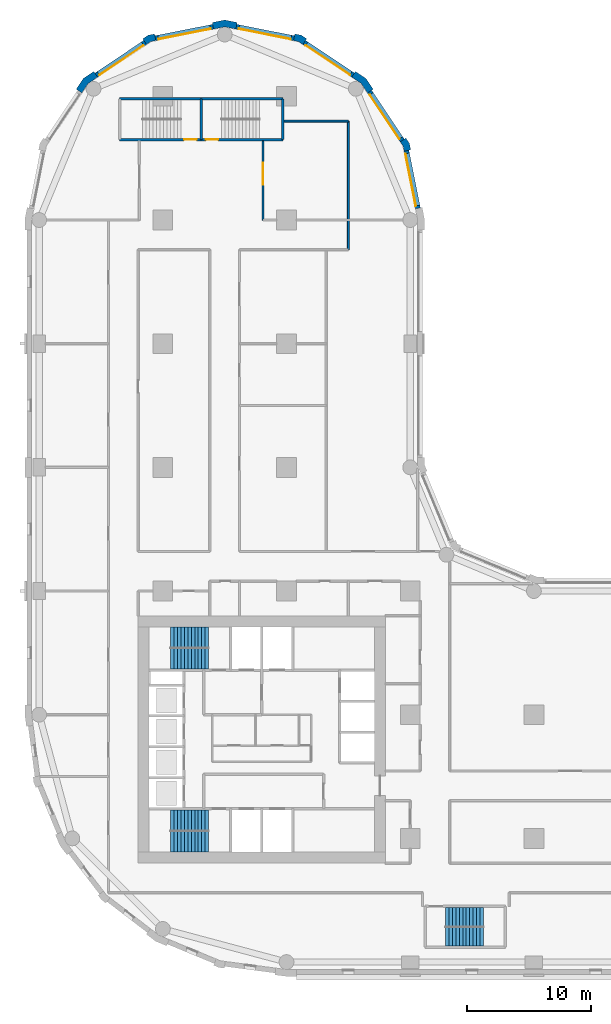
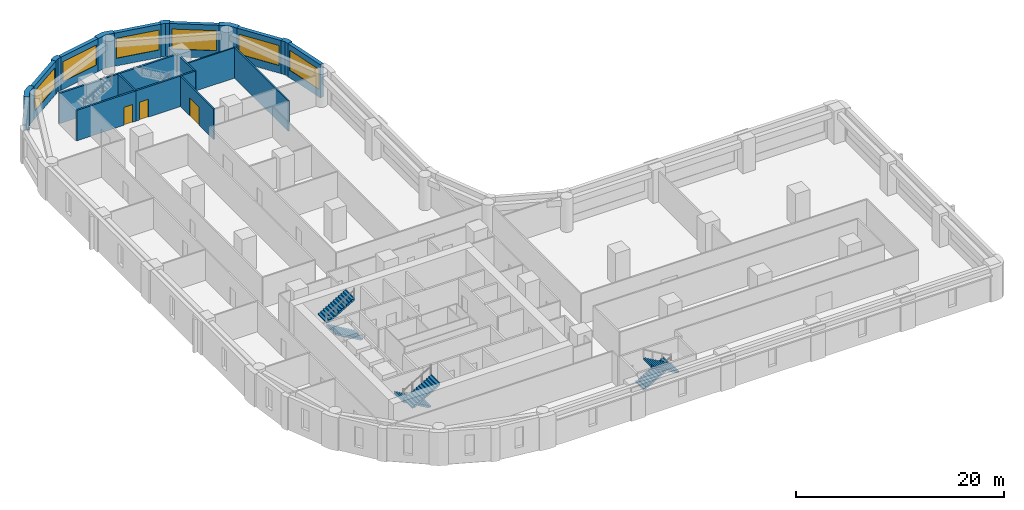
# One storey, part 7 of 10: 21 walls, 6 stair flights, 6 windows, 3 doors, 9 openings, 3 elements without a shape of their own.
"""IFC4 building model written with IfcOpenShell, lengths in metres."""

from ifc_helpers import new_model, si_unit, direction, frame, frame_2d, origin, place, context, subcontext, project, spatial, polyline, rectangle, outline, extrude, material, layer, layer_set, type_object, element, fill, aggregate, save


model = new_model("IFC4")

# Units and contexts
model_context = context("Model", 3, precision=1e-05, world=origin(), true_north=direction((0.0, 1.0)))
body_context = subcontext(model_context, "Body", "Model", "MODEL_VIEW")
ifc_project = project(units=[si_unit("LENGTHUNIT", "METRE"), si_unit("AREAUNIT", "SQUARE_METRE"), si_unit("VOLUMEUNIT", "CUBIC_METRE"), si_unit("PLANEANGLEUNIT", "RADIAN"), si_unit("MASSUNIT", "GRAM", prefix="KILO")], contexts=[model_context])

# Site, building, storey
site_placement = place(None, origin())
site = spatial("IfcSite", under=ifc_project, at=site_placement, CompositionType="ELEMENT")
building_placement = place(site_placement, origin())
building = spatial("IfcBuilding", under=site, at=building_placement, Name="Qaws Garden Tower", CompositionType="ELEMENT")
storey_placement = place(building_placement, frame((0.0, 0.0, 62.699951171875)))
storey = spatial("IfcBuildingStorey", under=building, at=storey_placement, Name="L15", CompositionType="ELEMENT", Elevation=62.699951171875)

# Wall, opening, window
ifc_material_1 = material(Name="Clay facing brick masonry", Category="masonry")
ifc_layer_1 = layer(ifc_material_1, 0.39990234375)
ifc_layer_set_1 = layer_set([ifc_layer_1], Name="Clay facing brick masonry")
wall_type_1 = type_object("IfcWallType", Name="Brick infill wall 400", PredefinedType="SOLIDWALL", material=ifc_layer_set_1)
wall_1_placement = place(storey_placement, frame((30.628662109375, 60.940673828125, 0.0), z_axis=(0.0, 0.0, 1.0), x_axis=(-0.195098533057, 0.98078364709, 0.0)))
wall_1 = element("IfcWall", 1, at=wall_1_placement, inside=storey, type_object=wall_type_1, Name="E-L15-infill-15", PredefinedType="SOLIDWALL", context=body_context, shape_type="SweptSolid", body=[
    extrude(rectangle(XDim=4.752685546875, YDim=0.39990234375, at=frame_2d((2.37646484375, 0.0))), origin(), (0.0, 0.0, 1.0), 3.900146484375),
])
opening_1_placement = place(wall_1_placement, frame((0.226318359375, 0.0, 0.89990234375)))
opening_1 = element("IfcOpeningElement", 2, at=opening_1_placement, cuts=wall_1, Name="Opening W06", PredefinedType="OPENING", context=body_context, shape_type="SweptSolid", body=[
    extrude(rectangle(XDim=4.300048828125, YDim=2.35009765625, at=frame_2d((2.14990234375, 1.175048828125))), frame((0.0, 0.2099609375, 0.0), z_axis=(0.0, -1.0, 0.0), x_axis=(1.0, 0.0, 0.0)), (0.0, 0.0, 1.0), 0.419921875),
])
ifc_material_2 = material(Name="Aluminium framed window, clear glazing", Category="aluminium")
window_type = type_object("IfcWindowType", Name="Ribbon window 4300 x 2350", PartitioningType="DOUBLE_PANEL_VERTICAL", PredefinedType="WINDOW", material=ifc_material_2)
window_1_placement = place(opening_1_placement, origin())
window_1 = element("IfcWindow", 3, at=window_1_placement, inside=storey, type_object=window_type, Name="E-L15-window-15-0", OverallHeight=2.35009765625, OverallWidth=4.300048828125, PartitioningType="SINGLE_PANEL", PredefinedType="WINDOW", context=body_context, shape_type="SweptSolid", body=[
    extrude(rectangle(XDim=4.300048828125, YDim=2.35009765625, at=frame_2d((2.14990234375, 1.175048828125))), frame((0.0, 0.159912109375, 0.0), z_axis=(0.0, -1.0, 0.0), x_axis=(1.0, 0.0, 0.0)), (0.0, 0.0, 1.0), 0.06005859375),
])
fill(opening_1, window_1)

wall_2_placement = place(storey_placement, frame((29.356689453125, 66.43408203125, 0.0), z_axis=(0.0, 0.0, 1.0), x_axis=(-0.555541552266, 0.831488775454, 0.0)))
wall_2 = element("IfcWall", 4, at=wall_2_placement, inside=storey, type_object=wall_type_1, Name="E-L15-infill-16", PredefinedType="SOLIDWALL", context=body_context, shape_type="SweptSolid", body=[
    extrude(rectangle(XDim=4.752685546875, YDim=0.39990234375, at=frame_2d((2.37646484375, 0.0))), origin(), (0.0, 0.0, 1.0), 3.900146484375),
])
opening_2_placement = place(wall_2_placement, frame((0.226318359375, 0.0, 0.89990234375)))
opening_2 = element("IfcOpeningElement", 5, at=opening_2_placement, cuts=wall_2, Name="Opening W06", PredefinedType="OPENING", context=body_context, shape_type="SweptSolid", body=[
    extrude(rectangle(XDim=4.300048828125, YDim=2.35009765625, at=frame_2d((2.14990234375, 1.175048828125))), frame((0.0, 0.2099609375, 0.0), z_axis=(0.0, -1.0, 0.0), x_axis=(1.0, 0.0, 0.0)), (0.0, 0.0, 1.0), 0.419921875),
])
window_2_placement = place(opening_2_placement, origin())
window_2 = element("IfcWindow", 6, at=window_2_placement, inside=storey, type_object=window_type, Name="E-L15-window-16-0", OverallHeight=2.35009765625, OverallWidth=4.300048828125, PartitioningType="SINGLE_PANEL", PredefinedType="WINDOW", context=body_context, shape_type="SweptSolid", body=[
    extrude(rectangle(XDim=4.300048828125, YDim=2.35009765625, at=frame_2d((2.14990234375, 1.175048828125))), frame((0.0, 0.159912109375, 0.0), z_axis=(0.0, -1.0, 0.0), x_axis=(1.0, 0.0, 0.0)), (0.0, 0.0, 1.0), 0.06005859375),
])
fill(opening_2, window_2)

wall_3_placement = place(storey_placement, frame((25.385986328125, 71.71630859375, 0.0), z_axis=(0.0, 0.0, 1.0), x_axis=(-0.831488775454, 0.555541552266, 0.0)))
wall_3 = element("IfcWall", 7, at=wall_3_placement, inside=storey, type_object=wall_type_1, Name="E-L15-infill-17", PredefinedType="SOLIDWALL", context=body_context, shape_type="SweptSolid", body=[
    extrude(rectangle(XDim=4.752685546875, YDim=0.39990234375, at=frame_2d((2.37646484375, 0.0))), origin(), (0.0, 0.0, 1.0), 3.900146484375),
])
opening_3_placement = place(wall_3_placement, frame((0.226318359375, 0.0, 0.89990234375)))
opening_3 = element("IfcOpeningElement", 8, at=opening_3_placement, cuts=wall_3, Name="Opening W06", PredefinedType="OPENING", context=body_context, shape_type="SweptSolid", body=[
    extrude(rectangle(XDim=4.300048828125, YDim=2.35009765625, at=frame_2d((2.14990234375, 1.175048828125))), frame((0.0, 0.2099609375, 0.0), z_axis=(0.0, -1.0, 0.0), x_axis=(1.0, 0.0, 0.0)), (0.0, 0.0, 1.0), 0.419921875),
])
window_3_placement = place(opening_3_placement, origin())
window_3 = element("IfcWindow", 9, at=window_3_placement, inside=storey, type_object=window_type, Name="E-L15-window-17-0", OverallHeight=2.35009765625, OverallWidth=4.300048828125, PartitioningType="SINGLE_PANEL", PredefinedType="WINDOW", context=body_context, shape_type="SweptSolid", body=[
    extrude(rectangle(XDim=4.300048828125, YDim=2.35009765625, at=frame_2d((2.14990234375, 1.175048828125))), frame((0.0, 0.159912109375, 0.0), z_axis=(0.0, -1.0, 0.0), x_axis=(1.0, 0.0, 0.0)), (0.0, 0.0, 1.0), 0.06005859375),
])
fill(opening_3, window_3)

wall_4_placement = place(storey_placement, frame((20.60205078125, 74.701416015625, 0.0), z_axis=(0.0, 0.0, 1.0), x_axis=(-0.98078364709, 0.195098533057, 0.0)))
wall_4 = element("IfcWall", 10, at=wall_4_placement, inside=storey, type_object=wall_type_1, Name="E-L15-infill-18", PredefinedType="SOLIDWALL", context=body_context, shape_type="SweptSolid", body=[
    extrude(rectangle(XDim=4.752685546875, YDim=0.39990234375, at=frame_2d((2.37646484375, 0.0))), origin(), (0.0, 0.0, 1.0), 3.900146484375),
])
opening_4_placement = place(wall_4_placement, frame((0.226318359375, 0.0, 0.89990234375)))
opening_4 = element("IfcOpeningElement", 11, at=opening_4_placement, cuts=wall_4, Name="Opening W06", PredefinedType="OPENING", context=body_context, shape_type="SweptSolid", body=[
    extrude(rectangle(XDim=4.300048828125, YDim=2.35009765625, at=frame_2d((2.14990234375, 1.175048828125))), frame((0.0, 0.2099609375, 0.0), z_axis=(0.0, -1.0, 0.0), x_axis=(1.0, 0.0, 0.0)), (0.0, 0.0, 1.0), 0.419921875),
])
window_4_placement = place(opening_4_placement, origin())
window_4 = element("IfcWindow", 12, at=window_4_placement, inside=storey, type_object=window_type, Name="E-L15-window-18-0", OverallHeight=2.35009765625, OverallWidth=4.300048828125, PartitioningType="SINGLE_PANEL", PredefinedType="WINDOW", context=body_context, shape_type="SweptSolid", body=[
    extrude(rectangle(XDim=4.300048828125, YDim=2.35009765625, at=frame_2d((2.14990234375, 1.175048828125))), frame((0.0, 0.159912109375, 0.0), z_axis=(0.0, -1.0, 0.0), x_axis=(1.0, 0.0, 0.0)), (0.0, 0.0, 1.0), 0.06005859375),
])
fill(opening_4, window_4)

wall_5_placement = place(storey_placement, frame((14.059326171875, 75.628662109375, 0.0), z_axis=(0.0, 0.0, 1.0), x_axis=(-0.98078364709, -0.195098533057, 0.0)))
wall_5 = element("IfcWall", 13, at=wall_5_placement, inside=storey, type_object=wall_type_1, Name="E-L15-infill-19", PredefinedType="SOLIDWALL", context=body_context, shape_type="SweptSolid", body=[
    extrude(rectangle(XDim=4.752685546875, YDim=0.39990234375, at=frame_2d((2.37646484375, 0.0))), origin(), (0.0, 0.0, 1.0), 3.900146484375),
])
opening_5_placement = place(wall_5_placement, frame((0.226318359375, 0.0, 0.89990234375)))
opening_5 = element("IfcOpeningElement", 14, at=opening_5_placement, cuts=wall_5, Name="Opening W06", PredefinedType="OPENING", context=body_context, shape_type="SweptSolid", body=[
    extrude(rectangle(XDim=4.300048828125, YDim=2.35009765625, at=frame_2d((2.14990234375, 1.175048828125))), frame((0.0, 0.2099609375, 0.0), z_axis=(0.0, -1.0, 0.0), x_axis=(1.0, 0.0, 0.0)), (0.0, 0.0, 1.0), 0.419921875),
])
window_5_placement = place(opening_5_placement, origin())
window_5 = element("IfcWindow", 15, at=window_5_placement, inside=storey, type_object=window_type, Name="E-L15-window-19-0", OverallHeight=2.35009765625, OverallWidth=4.300048828125, PartitioningType="SINGLE_PANEL", PredefinedType="WINDOW", context=body_context, shape_type="SweptSolid", body=[
    extrude(rectangle(XDim=4.300048828125, YDim=2.35009765625, at=frame_2d((2.14990234375, 1.175048828125))), frame((0.0, 0.159912109375, 0.0), z_axis=(0.0, -1.0, 0.0), x_axis=(1.0, 0.0, 0.0)), (0.0, 0.0, 1.0), 0.06005859375),
])
fill(opening_5, window_5)

wall_6_placement = place(storey_placement, frame((8.56591796875, 74.356689453125, 0.0), z_axis=(0.0, 0.0, 1.0), x_axis=(-0.831488775454, -0.555541552266, 0.0)))
wall_6 = element("IfcWall", 16, at=wall_6_placement, inside=storey, type_object=wall_type_1, Name="E-L15-infill-20", PredefinedType="SOLIDWALL", context=body_context, shape_type="SweptSolid", body=[
    extrude(rectangle(XDim=4.752685546875, YDim=0.39990234375, at=frame_2d((2.37646484375, 0.0))), origin(), (0.0, 0.0, 1.0), 3.900146484375),
])
opening_6_placement = place(wall_6_placement, frame((0.226318359375, 0.0, 0.89990234375)))
opening_6 = element("IfcOpeningElement", 17, at=opening_6_placement, cuts=wall_6, Name="Opening W06", PredefinedType="OPENING", context=body_context, shape_type="SweptSolid", body=[
    extrude(rectangle(XDim=4.300048828125, YDim=2.35009765625, at=frame_2d((2.14990234375, 1.175048828125))), frame((0.0, 0.2099609375, 0.0), z_axis=(0.0, -1.0, 0.0), x_axis=(1.0, 0.0, 0.0)), (0.0, 0.0, 1.0), 0.419921875),
])
window_6_placement = place(opening_6_placement, origin())
window_6 = element("IfcWindow", 18, at=window_6_placement, inside=storey, type_object=window_type, Name="E-L15-window-20-0", OverallHeight=2.35009765625, OverallWidth=4.300048828125, PartitioningType="SINGLE_PANEL", PredefinedType="WINDOW", context=body_context, shape_type="SweptSolid", body=[
    extrude(rectangle(XDim=4.300048828125, YDim=2.35009765625, at=frame_2d((2.14990234375, 1.175048828125))), frame((0.0, 0.159912109375, 0.0), z_axis=(0.0, -1.0, 0.0), x_axis=(1.0, 0.0, 0.0)), (0.0, 0.0, 1.0), 0.06005859375),
])
fill(opening_6, window_6)

# Walls
ifc_material_3 = material(Name="Clay facing brick masonry", Category="masonry")
ifc_layer_2 = layer(ifc_material_3, 0.550048828125)
ifc_layer_set_2 = layer_set([ifc_layer_2], Name="Clay facing brick masonry")
wall_type_2 = type_object("IfcWallType", Name="Brick kink pier 550 x 600", PredefinedType="SOLIDWALL", material=ifc_layer_set_2)
placement = place(storey_placement, origin())
element("IfcWall", 19, at=placement, inside=storey, type_object=wall_type_2, Name="E-L15-pier-16", PredefinedType="SOLIDWALL", context=body_context, shape_type="SweptSolid", body=[
    extrude(outline(polyline([(29.8974609375, 65.64111328125), (30.044677734375, 65.67041015625), (29.94140625, 66.18896484375), (29.647705078125, 66.628662109375), (29.52294921875, 66.545166015625), (29.1904296875, 66.322998046875), (29.42333984375, 65.974365234375), (29.505126953125, 65.56298828125), (29.8974609375, 65.64111328125)])), origin(), (0.0, 0.0, 1.0), 3.900146484375),
])
element("IfcWall", 20, at=placement, inside=storey, type_object=wall_type_2, Name="E-L15-pier-18", PredefinedType="SOLIDWALL", context=body_context, shape_type="SweptSolid", body=[
    extrude(outline(polyline([(21.545166015625, 74.52294921875), (21.628662109375, 74.647705078125), (21.18896484375, 74.94140625), (20.67041015625, 75.044677734375), (20.64111328125, 74.8974609375), (20.56298828125, 74.505126953125), (20.974365234375, 74.42333984375), (21.322998046875, 74.1904296875), (21.545166015625, 74.52294921875)])), origin(), (0.0, 0.0, 1.0), 3.900146484375),
])
element("IfcWall", 21, at=placement, inside=storey, type_object=wall_type_2, Name="E-L15-pier-20", PredefinedType="SOLIDWALL", context=body_context, shape_type="SweptSolid", body=[
    extrude(outline(polyline([(9.35888671875, 74.8974609375), (9.32958984375, 75.044677734375), (8.81103515625, 74.94140625), (8.371337890625, 74.647705078125), (8.454833984375, 74.52294921875), (8.677001953125, 74.1904296875), (9.025634765625, 74.42333984375), (9.43701171875, 74.505126953125), (9.35888671875, 74.8974609375)])), origin(), (0.0, 0.0, 1.0), 3.900146484375),
])
ifc_material_4 = material(Name="Clay facing brick masonry", Category="masonry")
ifc_layer_3 = layer(ifc_material_4, 0.550048828125)
ifc_layer_set_3 = layer_set([ifc_layer_3], Name="Clay facing brick masonry")
wall_type_3 = type_object("IfcWallType", Name="Brick pier 550 x 1600", PredefinedType="SOLIDWALL", material=ifc_layer_set_3)
element("IfcWall", 22, at=placement, inside=storey, type_object=wall_type_3, Name="E-L15-pier-17", PredefinedType="SOLIDWALL", context=body_context, shape_type="SweptSolid", body=[
    extrude(outline(polyline([(26.882568359375, 70.4970703125), (27.00732421875, 70.580322265625), (26.435791015625, 71.435791015625), (25.580322265625, 72.00732421875), (25.4970703125, 71.882568359375), (25.274658203125, 71.550048828125), (26.0390625, 71.0390625), (26.550048828125, 70.274658203125), (26.882568359375, 70.4970703125)])), origin(), (0.0, 0.0, 1.0), 3.900146484375),
])
element("IfcWall", 23, at=placement, inside=storey, type_object=wall_type_3, Name="E-L15-pier-19", PredefinedType="SOLIDWALL", context=body_context, shape_type="SweptSolid", body=[
    extrude(outline(polyline([(15.979736328125, 75.82470703125), (16.009033203125, 75.971923828125), (15.0, 76.172607421875), (13.990966796875, 75.971923828125), (14.020263671875, 75.82470703125), (14.098388671875, 75.432373046875), (15.0, 75.61181640625), (15.901611328125, 75.432373046875), (15.979736328125, 75.82470703125)])), origin(), (0.0, 0.0, 1.0), 3.900146484375),
])
element("IfcWall", 24, at=placement, inside=storey, type_object=wall_type_3, Name="E-L15-pier-21", PredefinedType="SOLIDWALL", context=body_context, shape_type="SweptSolid", body=[
    extrude(outline(polyline([(4.5029296875, 71.882568359375), (4.419677734375, 72.00732421875), (3.564208984375, 71.435791015625), (2.99267578125, 70.580322265625), (3.117431640625, 70.4970703125), (3.449951171875, 70.274658203125), (3.9609375, 71.0390625), (4.725341796875, 71.550048828125), (4.5029296875, 71.882568359375)])), origin(), (0.0, 0.0, 1.0), 3.900146484375),
])

# Wall, opening, door
ifc_material_5 = material(Name="Concrete C80", Category="concrete")
ifc_layer_4 = layer(ifc_material_5, 0.199951171875)
ifc_layer_set_4 = layer_set([ifc_layer_4], Name="Concrete C80")
wall_type_4 = type_object("IfcWallType", Name="Core shaft wall 200 C80", PredefinedType="SHEAR", material=ifc_layer_set_4)
wall_13_placement = place(storey_placement, frame((6.5, 66.5, 0.0), z_axis=(0.0, 0.0, 1.0), x_axis=(1.0, 0.0, 0.0)))
wall_13 = element("IfcWall", 25, at=wall_13_placement, inside=storey, type_object=wall_type_4, Name="Shaft wall", PredefinedType="SHEAR", context=body_context, shape_type="SweptSolid", body=[
    extrude(rectangle(XDim=6.60009765625, YDim=0.199951171875, at=frame_2d((3.300048828125, 0.0))), origin(), (0.0, 0.0, 1.0), 3.580078125),
])
opening_7_placement = place(wall_13_placement, frame((5.22509765625, 0.0, 0.0)))
opening_7 = element("IfcOpeningElement", 26, at=opening_7_placement, cuts=wall_13, Name="Opening SD13", PredefinedType="OPENING", context=body_context, shape_type="SweptSolid", body=[
    extrude(rectangle(XDim=1.0, YDim=2.10009765625, at=frame_2d((0.5, 1.050048828125))), frame((0.0, 0.10986328125, 0.0), z_axis=(0.0, -1.0, 0.0), x_axis=(1.0, 0.0, 0.0)), (0.0, 0.0, 1.0), 0.219970703125),
])
ifc_material_6 = material(Name="Steel S235", Category="steel")
door_type_1 = type_object("IfcDoorType", Name="Stair door 1000x2100", OperationType="SINGLE_SWING_RIGHT", PredefinedType="DOOR", material=ifc_material_6)
door_1_placement = place(opening_7_placement, origin())
door_1 = element("IfcDoor", 27, at=door_1_placement, inside=storey, type_object=door_type_1, Name="Stair 6 door", OperationType="SINGLE_SWING_RIGHT", OverallHeight=2.10009765625, OverallWidth=1.0, PredefinedType="DOOR", context=body_context, shape_type="SweptSolid", body=[
    extrude(rectangle(XDim=1.0, YDim=2.10009765625, at=frame_2d((0.5, 1.050048828125))), frame((0.0, 0.02490234375, 0.0), z_axis=(0.0, -1.0, 0.0), x_axis=(1.0, 0.0, 0.0)), (0.0, 0.0, 1.0), 0.050048828125),
])
fill(opening_7, door_1)

wall_14_placement = place(storey_placement, frame((13.10009765625, 66.5, 0.0), z_axis=(0.0, 0.0, 1.0), x_axis=(1.0, 0.0, 0.0)))
wall_14 = element("IfcWall", 28, at=wall_14_placement, inside=storey, type_object=wall_type_4, Name="Shaft wall", PredefinedType="SHEAR", context=body_context, shape_type="SweptSolid", body=[
    extrude(rectangle(XDim=6.599853515625, YDim=0.199951171875, at=frame_2d((3.2998046875, 0.0))), origin(), (0.0, 0.0, 1.0), 3.580078125),
])
opening_8_placement = place(wall_14_placement, frame((0.375, 0.0, 0.0)))
opening_8 = element("IfcOpeningElement", 29, at=opening_8_placement, cuts=wall_14, Name="Opening SD14", PredefinedType="OPENING", context=body_context, shape_type="SweptSolid", body=[
    extrude(rectangle(XDim=1.0, YDim=2.10009765625, at=frame_2d((0.5, 1.050048828125))), frame((0.0, 0.10986328125, 0.0), z_axis=(0.0, -1.0, 0.0), x_axis=(1.0, 0.0, 0.0)), (0.0, 0.0, 1.0), 0.219970703125),
])
door_2_placement = place(opening_8_placement, origin())
door_2 = element("IfcDoor", 30, at=door_2_placement, inside=storey, type_object=door_type_1, Name="Stair 7 door", OperationType="SINGLE_SWING_LEFT", OverallHeight=2.10009765625, OverallWidth=1.0, PredefinedType="DOOR", context=body_context, shape_type="SweptSolid", body=[
    extrude(rectangle(XDim=1.0, YDim=2.10009765625, at=frame_2d((0.5, 1.050048828125))), frame((0.0, 0.02490234375, 0.0), z_axis=(0.0, -1.0, 0.0), x_axis=(1.0, 0.0, 0.0)), (0.0, 0.0, 1.0), 0.050048828125),
])
fill(opening_8, door_2)

# Walls
wall_15_placement = place(storey_placement, frame((6.5, 69.800048828125, 0.0), z_axis=(0.0, 0.0, 1.0), x_axis=(1.0, 0.0, 0.0)))
element("IfcWall", 31, at=wall_15_placement, inside=storey, type_object=wall_type_4, Name="Shaft wall", PredefinedType="SHEAR", context=body_context, shape_type="SweptSolid", body=[
    extrude(rectangle(XDim=6.60009765625, YDim=0.199951171875, at=frame_2d((3.300048828125, 0.0))), origin(), (0.0, 0.0, 1.0), 3.580078125),
])
wall_16_placement = place(storey_placement, frame((13.10009765625, 69.800048828125, 0.0), z_axis=(0.0, 0.0, 1.0), x_axis=(1.0, 0.0, 0.0)))
element("IfcWall", 32, at=wall_16_placement, inside=storey, type_object=wall_type_4, Name="Shaft wall", PredefinedType="SHEAR", context=body_context, shape_type="SweptSolid", body=[
    extrude(rectangle(XDim=6.599853515625, YDim=0.199951171875, at=frame_2d((3.2998046875, 0.0))), origin(), (0.0, 0.0, 1.0), 3.580078125),
])
for number, where, z_axis, x_axis, name in (
    (33, (13.10009765625, 66.5, 0.0), (0.0, 0.0, 1.0), (0.0, 1.0, 0.0), "Shaft wall"),
    (34, (19.699951171875, 66.5, 0.0), (0.0, 0.0, 1.0), (0.0, 1.0, 0.0), "Shaft wall"),
):
    element("IfcWall", number, at=place(storey_placement, frame(where, z_axis=z_axis, x_axis=x_axis)), inside=storey, type_object=wall_type_4, Name=name, PredefinedType="SHEAR", context=body_context, shape_type="SweptSolid", body=[
        extrude(rectangle(XDim=3.300048828125, YDim=0.199951171875, at=frame_2d((1.64990234375, 0.0))), origin(), (0.0, 0.0, 1.0), 3.580078125),
    ])

# Wall, opening, door
ifc_material_7 = material(Name="Gypsum board partition")
ifc_layer_5 = layer(ifc_material_7, 0.14990234375)
ifc_layer_set_5 = layer_set([ifc_layer_5], Name="Gypsum board partition")
wall_type_5 = type_object("IfcWallType", Name="PARTITION 150 EI 60", PredefinedType="PARTITIONING", material=ifc_layer_set_5)
wall_17_placement = place(storey_placement, frame((18.10009765625, 60.0, 0.0), z_axis=(0.0, 0.0, 1.0), x_axis=(0.0, 1.0, 0.0)))
wall_17 = element("IfcWall", 35, at=wall_17_placement, inside=storey, type_object=wall_type_5, Name="O-L15-wall-009", PredefinedType="PARTITIONING", context=body_context, shape_type="SweptSolid", body=[
    extrude(rectangle(XDim=6.39990234375, YDim=0.14990234375, at=frame_2d((3.199951171875, 0.0))), origin(), (0.0, 0.0, 1.0), 3.580078125),
])
opening_9_placement = place(wall_17_placement, frame((2.85009765625, 0.0, 0.0)))
opening_9 = element("IfcOpeningElement", 36, at=opening_9_placement, cuts=wall_17, Name="Opening A515", PredefinedType="OPENING", context=body_context, shape_type="SweptSolid", body=[
    extrude(rectangle(XDim=1.800048828125, YDim=2.10009765625, at=frame_2d((0.89990234375, 1.050048828125))), frame((0.0, 0.0849609375, 0.0), z_axis=(0.0, -1.0, 0.0), x_axis=(1.0, 0.0, 0.0)), (0.0, 0.0, 1.0), 0.169921875),
])
ifc_material_8 = material(Name="Timber door leaf", Category="wood")
door_type_2 = type_object("IfcDoorType", Name="DOUBLE DOOR 1800 X 2100", OperationType="DOUBLE_DOOR_SINGLE_SWING", PredefinedType="DOOR", material=ifc_material_8)
door_3_placement = place(opening_9_placement, frame((1.800048828125, 0.0, 0.0), z_axis=(0.0, 0.0, 1.0), x_axis=(-1.0, 0.0, 0.0)))
door_3 = element("IfcDoor", 37, at=door_3_placement, inside=storey, type_object=door_type_2, Name="O-L15-door-015", OperationType="DOUBLE_DOOR_SINGLE_SWING", OverallHeight=2.10009765625, OverallWidth=1.800048828125, PredefinedType="DOOR", context=body_context, shape_type="SweptSolid", body=[
    extrude(rectangle(XDim=1.800048828125, YDim=2.10009765625, at=frame_2d((0.89990234375, 1.050048828125))), frame((0.0, 0.02490234375, 0.0), z_axis=(0.0, -1.0, 0.0), x_axis=(1.0, 0.0, 0.0)), (0.0, 0.0, 1.0), 0.050048828125),
])
fill(opening_9, door_3)

# Walls
wall_18_placement = place(storey_placement, frame((25.0, 57.60009765625, 0.0), z_axis=(0.0, 0.0, 1.0), x_axis=(0.0, 1.0, 0.0)))
element("IfcWall", 38, at=wall_18_placement, inside=storey, type_object=wall_type_5, Name="O-L15-wall-012", PredefinedType="PARTITIONING", context=body_context, shape_type="SweptSolid", body=[
    extrude(rectangle(XDim=10.39990234375, YDim=0.14990234375, at=frame_2d((5.199951171875, 0.0))), origin(), (0.0, 0.0, 1.0), 3.580078125),
])
wall_19_placement = place(storey_placement, frame((19.800048828125, 68.0, 0.0), z_axis=(0.0, 0.0, 1.0), x_axis=(1.0, 0.0, 0.0)))
element("IfcWall", 39, at=wall_19_placement, inside=storey, type_object=wall_type_5, Name="O-L15-wall-056", PredefinedType="PARTITIONING", context=body_context, shape_type="SweptSolid", body=[
    extrude(rectangle(XDim=5.199951171875, YDim=0.14990234375, at=frame_2d((2.60009765625, 0.0))), origin(), (0.0, 0.0, 1.0), 3.580078125),
])

# Stair, stair flights
ifc_material_9 = material(Name="Concrete C40", Category="concrete")
stair_type_1 = type_object("IfcStairType", Name="Exit stair 1350", PredefinedType="HALF_TURN_STAIR", material=ifc_material_9)
stair_1 = element("IfcStair", 40, at=placement, inside=storey, type_object=stair_type_1, Name="Stair 5", PredefinedType="HALF_TURN_STAIR")
ifc_material_10 = material(Name="Concrete C40", Category="concrete")
stair_flight_type_1 = type_object("IfcStairFlightType", Name="Stair flight 1350", PredefinedType="STRAIGHT", material=ifc_material_10)
stair_flight_1_placement = place(storey_placement, frame((32.85009765625, 3.625, 0.0), z_axis=(0.0, 0.0, 1.0), x_axis=(1.0, 0.0, 0.0)))
stair_flight_1 = element("IfcStairFlight", 41, at=stair_flight_1_placement, type_object=stair_flight_type_1, Name="ST5 flight 1", NumberOfRisers=12, NumberOfTreads=11, PredefinedType="STRAIGHT", RiserHeight=0.1625, TreadLength=0.28, context=body_context, shape_type="SweptSolid", body=[
    extrude(outline(polyline([(-0.0029296875, 0.0), (-0.0029296875, 0.16259765625), (0.0, 0.16259765625), (0.280029296875, 0.16259765625), (0.280029296875, 0.324951171875), (0.56005859375, 0.324951171875), (0.56005859375, 0.487548828125), (0.840087890625, 0.487548828125), (0.840087890625, 0.64990234375), (1.1201171875, 0.64990234375), (1.1201171875, 0.8125), (1.39990234375, 0.8125), (1.39990234375, 0.97509765625), (1.679931640625, 0.97509765625), (1.679931640625, 1.137451171875), (1.9599609375, 1.137451171875), (1.9599609375, 1.300048828125), (2.239990234375, 1.300048828125), (2.239990234375, 1.46240234375), (2.52001953125, 1.46240234375), (2.52001953125, 1.625), (2.800048828125, 1.625), (2.800048828125, 1.78759765625), (3.080078125, 1.78759765625), (3.080078125, 1.949951171875), (3.0830078125, 1.949951171875), (3.0830078125, 1.6142578125), (3.080078125, 1.6142578125), (0.298583984375, 0.0), (-0.0029296875, 0.0)])), frame((0.0, 0.77490234375, 0.0), z_axis=(0.0, -1.0, 0.0), x_axis=(1.0, 0.0, 0.0)), (0.0, 0.0, 1.0), 1.550048828125),
])
stair_flight_2_placement = place(storey_placement, frame((35.929931640625, 2.074951171875, 1.949951171875), z_axis=(0.0, 0.0, 1.0), x_axis=(-1.0, 0.0, 0.0)))
stair_flight_2 = element("IfcStairFlight", 42, at=stair_flight_2_placement, type_object=stair_flight_type_1, Name="ST5 flight 2", NumberOfRisers=12, NumberOfTreads=11, PredefinedType="STRAIGHT", RiserHeight=0.1625, TreadLength=0.28, context=body_context, shape_type="SweptSolid", body=[
    extrude(outline(polyline([(-0.0029296875, 0.0), (-0.0029296875, 0.16259765625), (0.0, 0.16259765625), (0.280029296875, 0.16259765625), (0.280029296875, 0.324951171875), (0.56005859375, 0.324951171875), (0.56005859375, 0.487548828125), (0.840087890625, 0.487548828125), (0.840087890625, 0.64990234375), (1.1201171875, 0.64990234375), (1.1201171875, 0.8125), (1.39990234375, 0.8125), (1.39990234375, 0.97509765625), (1.679931640625, 0.97509765625), (1.679931640625, 1.137451171875), (1.9599609375, 1.137451171875), (1.9599609375, 1.300048828125), (2.239990234375, 1.300048828125), (2.239990234375, 1.46240234375), (2.52001953125, 1.46240234375), (2.52001953125, 1.625), (2.800048828125, 1.625), (2.800048828125, 1.78759765625), (3.080078125, 1.78759765625), (3.080078125, 1.949951171875), (3.0830078125, 1.949951171875), (3.0830078125, 1.6142578125), (3.080078125, 1.6142578125), (0.298583984375, 0.0), (-0.0029296875, 0.0)])), frame((0.0, 0.77490234375, 0.0), z_axis=(0.0, -1.0, 0.0), x_axis=(1.0, 0.0, 0.0)), (0.0, 0.0, 1.0), 1.550048828125),
])
aggregate(stair_1, [stair_flight_1, stair_flight_2])

ifc_material_11 = material(Name="Concrete C40", Category="concrete")
stair_type_2 = type_object("IfcStairType", Name="Exit stair 1500", PredefinedType="HALF_TURN_STAIR", material=ifc_material_11)
stair_2 = element("IfcStair", 43, at=placement, inside=storey, type_object=stair_type_2, Name="Stair 1", PredefinedType="HALF_TURN_STAIR")
ifc_material_12 = material(Name="Concrete C40", Category="concrete")
stair_flight_type_2 = type_object("IfcStairFlightType", Name="Stair flight 1500", PredefinedType="STRAIGHT", material=ifc_material_12)
stair_flight_3_placement = place(storey_placement, frame((13.699951171875, 11.449951171875, 0.0), z_axis=(0.0, 0.0, 1.0), x_axis=(-1.0, 0.0, 0.0)))
stair_flight_3 = element("IfcStairFlight", 44, at=stair_flight_3_placement, type_object=stair_flight_type_2, Name="ST1 flight 1", NumberOfRisers=12, NumberOfTreads=11, PredefinedType="STRAIGHT", RiserHeight=0.1625, TreadLength=0.28, context=body_context, shape_type="SweptSolid", body=[
    extrude(outline(polyline([(-0.0029296875, 0.0), (-0.0029296875, 0.16259765625), (0.0, 0.16259765625), (0.280029296875, 0.16259765625), (0.280029296875, 0.324951171875), (0.56005859375, 0.324951171875), (0.56005859375, 0.487548828125), (0.840087890625, 0.487548828125), (0.840087890625, 0.64990234375), (1.1201171875, 0.64990234375), (1.1201171875, 0.8125), (1.39990234375, 0.8125), (1.39990234375, 0.97509765625), (1.679931640625, 0.97509765625), (1.679931640625, 1.137451171875), (1.9599609375, 1.137451171875), (1.9599609375, 1.300048828125), (2.239990234375, 1.300048828125), (2.239990234375, 1.46240234375), (2.52001953125, 1.46240234375), (2.52001953125, 1.625), (2.800048828125, 1.625), (2.800048828125, 1.78759765625), (3.080078125, 1.78759765625), (3.080078125, 1.949951171875), (3.0830078125, 1.949951171875), (3.0830078125, 1.6142578125), (3.080078125, 1.6142578125), (0.298583984375, 0.0), (-0.0029296875, 0.0)])), frame((0.0, 0.85009765625, 0.0), z_axis=(0.0, -1.0, 0.0), x_axis=(1.0, 0.0, 0.0)), (0.0, 0.0, 1.0), 1.699951171875),
])
stair_flight_4_placement = place(storey_placement, frame((10.6201171875, 9.75, 1.949951171875), z_axis=(0.0, 0.0, 1.0), x_axis=(1.0, 0.0, 0.0)))
stair_flight_4 = element("IfcStairFlight", 45, at=stair_flight_4_placement, type_object=stair_flight_type_2, Name="ST1 flight 2", NumberOfRisers=12, NumberOfTreads=11, PredefinedType="STRAIGHT", RiserHeight=0.1625, TreadLength=0.28, context=body_context, shape_type="SweptSolid", body=[
    extrude(outline(polyline([(-0.0029296875, 0.0), (-0.0029296875, 0.16259765625), (0.0, 0.16259765625), (0.280029296875, 0.16259765625), (0.280029296875, 0.324951171875), (0.56005859375, 0.324951171875), (0.56005859375, 0.487548828125), (0.840087890625, 0.487548828125), (0.840087890625, 0.64990234375), (1.1201171875, 0.64990234375), (1.1201171875, 0.8125), (1.39990234375, 0.8125), (1.39990234375, 0.97509765625), (1.679931640625, 0.97509765625), (1.679931640625, 1.137451171875), (1.9599609375, 1.137451171875), (1.9599609375, 1.300048828125), (2.239990234375, 1.300048828125), (2.239990234375, 1.46240234375), (2.52001953125, 1.46240234375), (2.52001953125, 1.625), (2.800048828125, 1.625), (2.800048828125, 1.78759765625), (3.080078125, 1.78759765625), (3.080078125, 1.949951171875), (3.0830078125, 1.949951171875), (3.0830078125, 1.6142578125), (3.080078125, 1.6142578125), (0.298583984375, 0.0), (-0.0029296875, 0.0)])), frame((0.0, 0.85009765625, 0.0), z_axis=(0.0, -1.0, 0.0), x_axis=(1.0, 0.0, 0.0)), (0.0, 0.0, 1.0), 1.699951171875),
])
aggregate(stair_2, [stair_flight_3, stair_flight_4])

stair_3 = element("IfcStair", 46, at=placement, inside=storey, type_object=stair_type_2, Name="Stair 4", PredefinedType="HALF_TURN_STAIR")
stair_flight_5_placement = place(storey_placement, frame((13.699951171875, 24.550048828125, 0.0), z_axis=(0.0, 0.0, 1.0), x_axis=(-1.0, 0.0, 0.0)))
stair_flight_5 = element("IfcStairFlight", 47, at=stair_flight_5_placement, type_object=stair_flight_type_2, Name="ST4 flight 1", NumberOfRisers=12, NumberOfTreads=11, PredefinedType="STRAIGHT", RiserHeight=0.1625, TreadLength=0.28, context=body_context, shape_type="SweptSolid", body=[
    extrude(outline(polyline([(-0.0029296875, 0.0), (-0.0029296875, 0.16259765625), (0.0, 0.16259765625), (0.280029296875, 0.16259765625), (0.280029296875, 0.324951171875), (0.56005859375, 0.324951171875), (0.56005859375, 0.487548828125), (0.840087890625, 0.487548828125), (0.840087890625, 0.64990234375), (1.1201171875, 0.64990234375), (1.1201171875, 0.8125), (1.39990234375, 0.8125), (1.39990234375, 0.97509765625), (1.679931640625, 0.97509765625), (1.679931640625, 1.137451171875), (1.9599609375, 1.137451171875), (1.9599609375, 1.300048828125), (2.239990234375, 1.300048828125), (2.239990234375, 1.46240234375), (2.52001953125, 1.46240234375), (2.52001953125, 1.625), (2.800048828125, 1.625), (2.800048828125, 1.78759765625), (3.080078125, 1.78759765625), (3.080078125, 1.949951171875), (3.0830078125, 1.949951171875), (3.0830078125, 1.6142578125), (3.080078125, 1.6142578125), (0.298583984375, 0.0), (-0.0029296875, 0.0)])), frame((0.0, 0.844970703125, 0.0), z_axis=(0.0, -1.0, 0.0), x_axis=(1.0, 0.0, 0.0)), (0.0, 0.0, 1.0), 1.68994140625),
])
stair_flight_6_placement = place(storey_placement, frame((10.6201171875, 26.25, 1.949951171875), z_axis=(0.0, 0.0, 1.0), x_axis=(1.0, 0.0, 0.0)))
stair_flight_6 = element("IfcStairFlight", 48, at=stair_flight_6_placement, type_object=stair_flight_type_2, Name="ST4 flight 2", NumberOfRisers=12, NumberOfTreads=11, PredefinedType="STRAIGHT", RiserHeight=0.1625, TreadLength=0.28, context=body_context, shape_type="SweptSolid", body=[
    extrude(outline(polyline([(-0.0029296875, 0.0), (-0.0029296875, 0.16259765625), (0.0, 0.16259765625), (0.280029296875, 0.16259765625), (0.280029296875, 0.324951171875), (0.56005859375, 0.324951171875), (0.56005859375, 0.487548828125), (0.840087890625, 0.487548828125), (0.840087890625, 0.64990234375), (1.1201171875, 0.64990234375), (1.1201171875, 0.8125), (1.39990234375, 0.8125), (1.39990234375, 0.97509765625), (1.679931640625, 0.97509765625), (1.679931640625, 1.137451171875), (1.9599609375, 1.137451171875), (1.9599609375, 1.300048828125), (2.239990234375, 1.300048828125), (2.239990234375, 1.46240234375), (2.52001953125, 1.46240234375), (2.52001953125, 1.625), (2.800048828125, 1.625), (2.800048828125, 1.78759765625), (3.080078125, 1.78759765625), (3.080078125, 1.949951171875), (3.0830078125, 1.949951171875), (3.0830078125, 1.6142578125), (3.080078125, 1.6142578125), (0.298583984375, 0.0), (-0.0029296875, 0.0)])), frame((0.0, 0.844970703125, 0.0), z_axis=(0.0, -1.0, 0.0), x_axis=(1.0, 0.0, 0.0)), (0.0, 0.0, 1.0), 1.68994140625),
])
aggregate(stair_3, [stair_flight_5, stair_flight_6])

save(model, "model.ifc")
